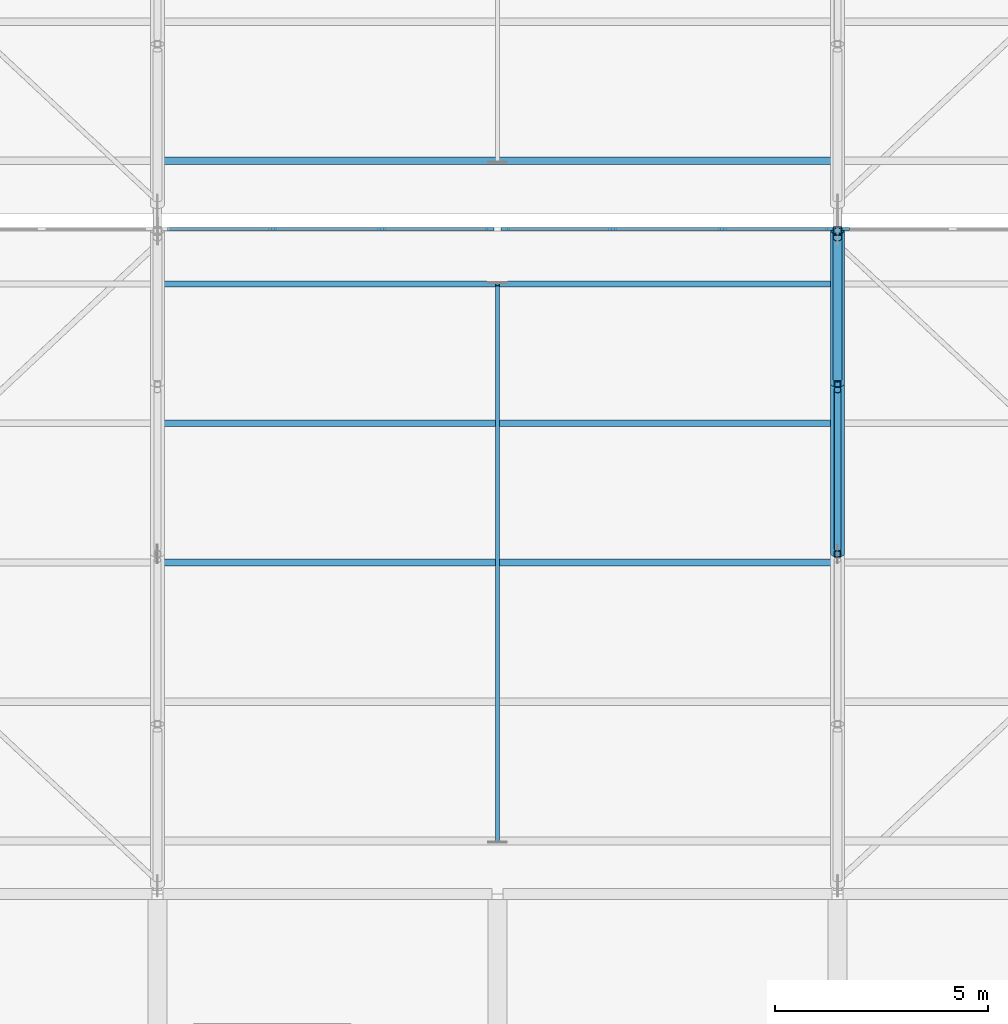
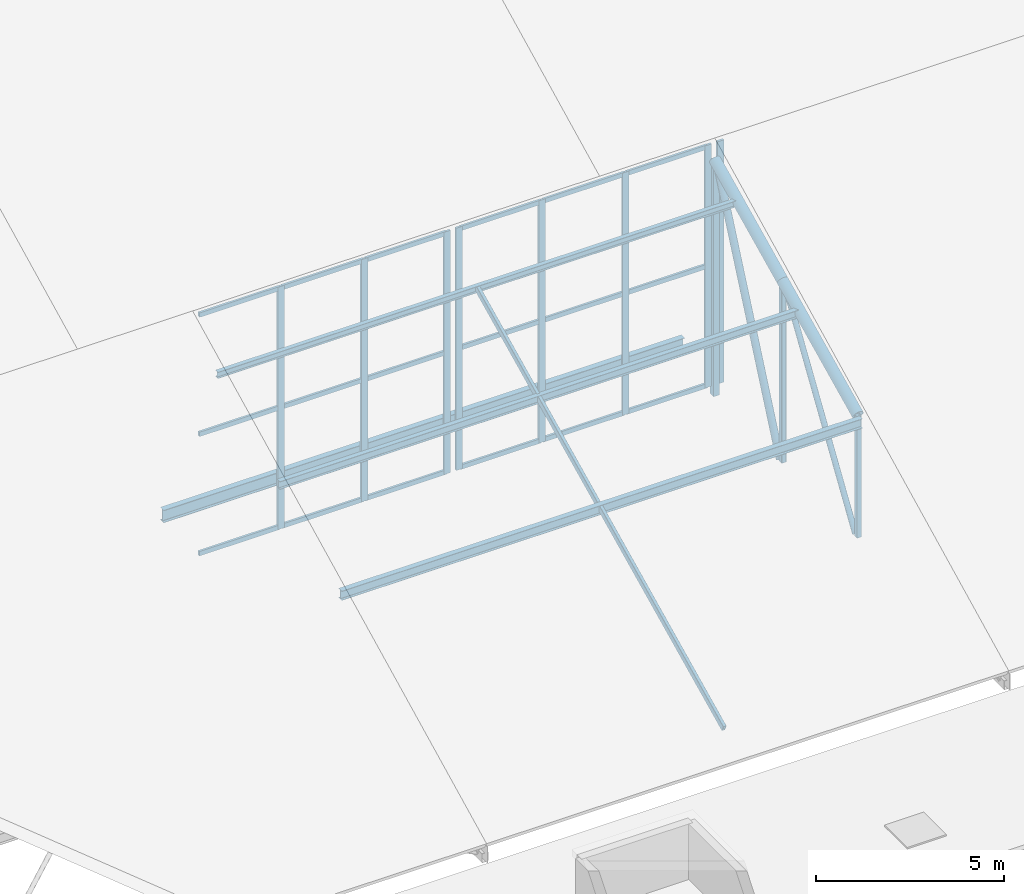
# One storey, part 45 of 137: 34 members, 4 beams, 3 elements without a shape of their own.
"""IFC4 building model written with IfcOpenShell, lengths in metres."""

from ifc_helpers import new_model, si_unit, direction, frame, origin, origin_2d, place, context, subcontext, project, spatial, rectangle, hollow_rectangle, hollow_circle, i_section, extrude, material, layer, layer_set, material_profile, profile_set, type_object, element, aggregate, save


model = new_model("IFC4")

# Units and contexts
model_context = context("Model", 3, precision=1e-05, world=origin(), true_north=direction((0.0, 1.0)))
body_context = subcontext(model_context, "Body", "Model", "MODEL_VIEW")
ifc_project = project(units=[si_unit("LENGTHUNIT", "METRE"), si_unit("AREAUNIT", "SQUARE_METRE"), si_unit("VOLUMEUNIT", "CUBIC_METRE"), si_unit("PLANEANGLEUNIT", "RADIAN"), si_unit("MASSUNIT", "GRAM", prefix="KILO")], contexts=[model_context])

# Site, building, storey
site_placement = place(None, origin())
site = spatial("IfcSite", under=ifc_project, at=site_placement, CompositionType="ELEMENT")
building_placement = place(site_placement, origin())
building = spatial("IfcBuilding", under=site, at=building_placement, Name="Jelvoka-Kovrelna Polytechnic", CompositionType="ELEMENT")
storey_placement = place(building_placement, frame((0.0, 0.0, 9.60009765625)))
storey = spatial("IfcBuildingStorey", under=building, at=storey_placement, Name="L03", CompositionType="ELEMENT", Elevation=9.60009765625)

# Members
ifc_material_1 = material(Name="Structural steel S355J2H", Category="steel")
ifc_material_profile_1 = material_profile(ifc_material_1, hollow_circle(Radius=0.084228515625, WallThickness=0.008056640625, at=origin_2d()), Name="168.3x8.0 CHS")
ifc_profile_set_1 = profile_set([ifc_material_profile_1], Name="Structural steel S355J2H")
member_type_1 = type_object("IfcMemberType", Name="Member_Brace_CHS168", PredefinedType="BRACE", material=ifc_profile_set_1)
member_1_placement = place(storey_placement, frame((120.0, 96.139892578125, 0.14990234375), z_axis=(0.0, 0.5415746521, 0.840652660855), x_axis=(-1.0, 0.0, 0.0)))
element("IfcMember", 1, at=member_1_placement, inside=storey, type_object=member_type_1, Name="Sawtooth truss 3 diagonal web 1.3", PredefinedType="BRACE", context=body_context, shape_type="SweptSolid", body=[
    extrude(hollow_circle(Radius=0.084228515625, WallThickness=0.008056640625, at=origin_2d()), origin(), (0.0, 0.0, 1.0), 6.869140625),
])
ifc_material_2 = material(Name="Structural steel S355J2H", Category="steel")
ifc_material_profile_2 = material_profile(ifc_material_2, hollow_circle(Radius=0.109619140625, WallThickness=0.008056640625, at=origin_2d()), Name="219.1x8.0 CHS")
ifc_profile_set_2 = profile_set([ifc_material_profile_2], Name="Structural steel S355J2H")
member_type_2 = type_object("IfcMemberType", Name="Member_Brace_CHS219", PredefinedType="BRACE", material=ifc_profile_set_2)
member_2_placement = place(storey_placement, frame((120.0, 100.139892578125, 0.14990234375), z_axis=(0.0, 0.404336237521, 0.914610412705), x_axis=(-1.0, 0.0, 0.0)))
element("IfcMember", 2, at=member_2_placement, inside=storey, type_object=member_type_2, Name="Sawtooth truss 3 diagonal web 1.4", PredefinedType="BRACE", context=body_context, shape_type="SweptSolid", body=[
    extrude(hollow_circle(Radius=0.109619140625, WallThickness=0.008056640625, at=origin_2d()), origin(), (0.0, 0.0, 1.0), 8.211181640625),
])
ifc_material_3 = material(Name="Structural steel S355J2H", Category="steel")
ifc_material_profile_3 = material_profile(ifc_material_3, hollow_circle(Radius=0.161865234375, WallThickness=0.010009765625, at=origin_2d()), Name="323.9x10.0 CHS")
ifc_profile_set_3 = profile_set([ifc_material_profile_3], Name="Structural steel S355J2H")
member_type_3 = type_object("IfcMemberType", Name="Member_Chord_CHS324", PredefinedType="CHORD", material=ifc_profile_set_3)
member_3_placement = place(storey_placement, frame((120.0, 96.0, 4.076416015625), z_axis=(0.0, 0.900820911068, 0.434190840741), x_axis=(-1.0, 0.0, 0.0)))
element("IfcMember", 3, at=member_3_placement, inside=storey, type_object=member_type_3, Name="Sawtooth truss 3 top chord 1.3", PredefinedType="CHORD", context=body_context, shape_type="SweptSolid", body=[
    extrude(hollow_circle(Radius=0.161865234375, WallThickness=0.010009765625, at=origin_2d()), origin(), (0.0, 0.0, 1.0), 4.4404296875),
])
member_4_placement = place(storey_placement, frame((120.0, 100.0, 6.00439453125), z_axis=(0.0, 0.900784896778, 0.434265552095), x_axis=(-1.0, 0.0, 0.0)))
element("IfcMember", 4, at=member_4_placement, inside=storey, type_object=member_type_3, Name="Sawtooth truss 3 top chord 1.4", PredefinedType="CHORD", context=body_context, shape_type="SweptSolid", body=[
    extrude(hollow_circle(Radius=0.161865234375, WallThickness=0.010009765625, at=origin_2d()), origin(), (0.0, 0.0, 1.0), 3.99658203125),
])
ifc_material_4 = material(Name="Structural steel S355J2H", Category="steel")
ifc_material_profile_4 = material_profile(ifc_material_4, hollow_rectangle(XDim=0.14990234375, YDim=0.14990234375, WallThickness=0.008056640625, InnerFilletRadius=0.008056640625, OuterFilletRadius=0.011962890625, at=origin_2d()), Name="150x150x8.0 SHS")
ifc_profile_set_4 = profile_set([ifc_material_profile_4], Name="Structural steel S355J2H")
member_type_4 = type_object("IfcMemberType", Name="Member_Post_SHS150", PredefinedType="POST", material=ifc_profile_set_4)
member_5_placement = place(storey_placement, frame((120.0, 96.0, 0.14990234375), z_axis=(0.0, 0.0, 1.0), x_axis=(1.0, 0.0, 0.0)))
element("IfcMember", 5, at=member_5_placement, inside=storey, type_object=member_type_4, Name="Sawtooth truss 3 web post 1.3", PredefinedType="POST", context=body_context, shape_type="SweptSolid", body=[
    extrude(hollow_rectangle(XDim=0.14990234375, YDim=0.14990234375, WallThickness=0.008056640625, InnerFilletRadius=0.008056640625, OuterFilletRadius=0.011962890625, at=origin_2d()), origin(), (0.0, 0.0, 1.0), 3.926513671875),
])
member_6_placement = place(storey_placement, frame((120.0, 100.0, 0.14990234375), z_axis=(0.0, 0.0, 1.0), x_axis=(1.0, 0.0, 0.0)))
element("IfcMember", 6, at=member_6_placement, inside=storey, type_object=member_type_4, Name="Sawtooth truss 3 web post 1.4", PredefinedType="POST", context=body_context, shape_type="SweptSolid", body=[
    extrude(hollow_rectangle(XDim=0.14990234375, YDim=0.14990234375, WallThickness=0.008056640625, InnerFilletRadius=0.008056640625, OuterFilletRadius=0.011962890625, at=origin_2d()), origin(), (0.0, 0.0, 1.0), 5.8544921875),
])
ifc_material_5 = material(Name="Structural steel S355J2H", Category="steel")
ifc_material_profile_5 = material_profile(ifc_material_5, hollow_rectangle(XDim=0.199951171875, YDim=0.199951171875, WallThickness=0.010009765625, InnerFilletRadius=0.010009765625, OuterFilletRadius=0.014892578125, at=origin_2d()), Name="200x200x10.0 SHS")
ifc_profile_set_5 = profile_set([ifc_material_profile_5], Name="Structural steel S355J2H")
member_type_5 = type_object("IfcMemberType", Name="Member_Post_SHS200", PredefinedType="POST", material=ifc_profile_set_5)
member_7_placement = place(storey_placement, frame((120.0, 103.60009765625, 0.14990234375), z_axis=(0.0, 0.0, 1.0), x_axis=(1.0, 0.0, 0.0)))
element("IfcMember", 7, at=member_7_placement, inside=storey, type_object=member_type_5, Name="Sawtooth truss 3 web post 1.5", PredefinedType="POST", context=body_context, shape_type="SweptSolid", body=[
    extrude(hollow_rectangle(XDim=0.199951171875, YDim=0.199951171875, WallThickness=0.010009765625, InnerFilletRadius=0.010009765625, OuterFilletRadius=0.014892578125, at=origin_2d()), origin(), (0.0, 0.0, 1.0), 7.590087890625),
])
ifc_material_6 = material(Name="Structural steel S355J2H", Category="steel")
ifc_material_profile_6 = material_profile(ifc_material_6, hollow_rectangle(XDim=0.10009765625, YDim=0.199951171875, WallThickness=0.008056640625, InnerFilletRadius=0.008056640625, OuterFilletRadius=0.011962890625, at=origin_2d()), Name="200x100x8.0 RHS")
ifc_profile_set_6 = profile_set([ifc_material_profile_6], Name="Structural steel S355J2H")
member_type_6 = type_object("IfcMemberType", Name="Member_Rafter_RHS200", PredefinedType="RAFTER", material=ifc_profile_set_6)
member_8_placement = place(storey_placement, frame((112.0, 89.248046875, 0.821533203125), z_axis=(0.0, 0.900805023058, 0.434223802243), x_axis=(-1.0, 0.0, 0.0)))
element("IfcMember", 8, at=member_8_placement, inside=storey, type_object=member_type_6, Name="Sawtooth mid-bay secondary rafter 2.1", PredefinedType="RAFTER", context=body_context, shape_type="SweptSolid", body=[
    extrude(hollow_rectangle(XDim=0.10009765625, YDim=0.199951171875, WallThickness=0.008056640625, InnerFilletRadius=0.008056640625, OuterFilletRadius=0.011962890625, at=origin_2d()), origin(), (0.0, 0.0, 1.0), 14.546875),
])

# Curtain wall, members
ifc_material_7 = material(Name="Anodised aluminium 6063-T6", Category="aluminium")
ifc_layer = layer(ifc_material_7, 0.199951171875)
ifc_layer_set = layer_set([ifc_layer], Name="Anodised aluminium 6063-T6")
curtain_wall_type = type_object("IfcCurtainWallType", Name="CW_Clerestory", PredefinedType="NOTDEFINED", material=ifc_layer_set)
curtain_wall_1_placement = place(storey_placement, origin())
curtain_wall_1 = element("IfcCurtainWall", 9, at=curtain_wall_1_placement, inside=storey, type_object=curtain_wall_type, Name="L03 glazed curtain wall 187", PredefinedType="NOTDEFINED")
ifc_material_8 = material(Name="Anodised aluminium 6063-T6", Category="aluminium")
ifc_material_profile_7 = material_profile(ifc_material_8, rectangle(XDim=0.070068359375, YDim=0.199951171875, at=origin_2d()), Name="ALU 70x200")
ifc_profile_set_7 = profile_set([ifc_material_profile_7], Name="Anodised aluminium 6063-T6")
member_type_7 = type_object("IfcMemberType", Name="Mullion_M-03", PredefinedType="MULLION", material=ifc_profile_set_7)
member_9_placement = place(storey_placement, frame((106.716552734375, 103.64990234375, 0.425048828125), z_axis=(0.0, 0.0, 1.0), x_axis=(0.0, 1.0, 0.0)))
member_9 = element("IfcMember", 10, at=member_9_placement, type_object=member_type_7, Name="CW-03 mullion 2", PredefinedType="MULLION", context=body_context, shape_type="SweptSolid", body=[
    extrude(rectangle(XDim=0.070068359375, YDim=0.199951171875, at=origin_2d()), origin(), (0.0, 0.0, 1.0), 7.85009765625),
])
member_10_placement = place(storey_placement, frame((109.283447265625, 103.64990234375, 0.425048828125), z_axis=(0.0, 0.0, 1.0), x_axis=(0.0, 1.0, 0.0)))
member_10 = element("IfcMember", 11, at=member_10_placement, type_object=member_type_7, Name="CW-03 mullion 3", PredefinedType="MULLION", context=body_context, shape_type="SweptSolid", body=[
    extrude(rectangle(XDim=0.070068359375, YDim=0.199951171875, at=origin_2d()), origin(), (0.0, 0.0, 1.0), 7.85009765625),
])
member_11_placement = place(storey_placement, frame((111.81494140625, 103.64990234375, 0.425048828125), z_axis=(0.0, 0.0, 1.0), x_axis=(0.0, 1.0, 0.0)))
member_11 = element("IfcMember", 12, at=member_11_placement, type_object=member_type_7, Name="CW-03 mullion 4", PredefinedType="MULLION", context=body_context, shape_type="SweptSolid", body=[
    extrude(rectangle(XDim=0.070068359375, YDim=0.199951171875, at=origin_2d()), origin(), (0.0, 0.0, 1.0), 7.85009765625),
])

curtain_wall_2_placement = place(storey_placement, origin())
curtain_wall_2 = element("IfcCurtainWall", 13, at=curtain_wall_2_placement, inside=storey, type_object=curtain_wall_type, Name="L03 glazed curtain wall 189", PredefinedType="NOTDEFINED")
member_12_placement = place(storey_placement, frame((112.18505859375, 103.64990234375, 0.425048828125), z_axis=(0.0, 0.0, 1.0), x_axis=(0.0, 1.0, 0.0)))
member_12 = element("IfcMember", 14, at=member_12_placement, type_object=member_type_7, Name="CW-03 mullion 1", PredefinedType="MULLION", context=body_context, shape_type="SweptSolid", body=[
    extrude(rectangle(XDim=0.070068359375, YDim=0.199951171875, at=origin_2d()), origin(), (0.0, 0.0, 1.0), 7.85009765625),
])
member_13_placement = place(storey_placement, frame((114.716552734375, 103.64990234375, 0.425048828125), z_axis=(0.0, 0.0, 1.0), x_axis=(0.0, 1.0, 0.0)))
member_13 = element("IfcMember", 15, at=member_13_placement, type_object=member_type_7, Name="CW-03 mullion 2", PredefinedType="MULLION", context=body_context, shape_type="SweptSolid", body=[
    extrude(rectangle(XDim=0.070068359375, YDim=0.199951171875, at=origin_2d()), origin(), (0.0, 0.0, 1.0), 7.85009765625),
])
member_14_placement = place(storey_placement, frame((117.283447265625, 103.64990234375, 0.425048828125), z_axis=(0.0, 0.0, 1.0), x_axis=(0.0, 1.0, 0.0)))
member_14 = element("IfcMember", 16, at=member_14_placement, type_object=member_type_7, Name="CW-03 mullion 3", PredefinedType="MULLION", context=body_context, shape_type="SweptSolid", body=[
    extrude(rectangle(XDim=0.070068359375, YDim=0.199951171875, at=origin_2d()), origin(), (0.0, 0.0, 1.0), 7.85009765625),
])
member_15_placement = place(storey_placement, frame((119.81494140625, 103.64990234375, 0.425048828125), z_axis=(0.0, 0.0, 1.0), x_axis=(0.0, 1.0, 0.0)))
member_15 = element("IfcMember", 17, at=member_15_placement, type_object=member_type_7, Name="CW-03 mullion 4", PredefinedType="MULLION", context=body_context, shape_type="SweptSolid", body=[
    extrude(rectangle(XDim=0.070068359375, YDim=0.199951171875, at=origin_2d()), origin(), (0.0, 0.0, 1.0), 7.85009765625),
])

# Curtain wall, member
curtain_wall_3_placement = place(storey_placement, origin())
curtain_wall_3 = element("IfcCurtainWall", 18, at=curtain_wall_3_placement, inside=storey, type_object=curtain_wall_type, Name="L03 glazed curtain wall 191", PredefinedType="NOTDEFINED")
member_16_placement = place(storey_placement, frame((120.18505859375, 103.64990234375, 0.425048828125), z_axis=(0.0, 0.0, 1.0), x_axis=(0.0, 1.0, 0.0)))
member_16 = element("IfcMember", 19, at=member_16_placement, type_object=member_type_7, Name="CW-03 mullion 1", PredefinedType="MULLION", context=body_context, shape_type="SweptSolid", body=[
    extrude(rectangle(XDim=0.070068359375, YDim=0.199951171875, at=origin_2d()), origin(), (0.0, 0.0, 1.0), 7.85009765625),
])
aggregate(curtain_wall_3, [member_16])

# Beams
ifc_material_9 = material(Name="Structural steel S355JR", Category="steel")
ifc_material_profile_8 = material_profile(ifc_material_9, i_section(OverallWidth=0.13330078125, OverallDepth=0.203125, WebThickness=0.005615234375, FlangeThickness=0.0078125, FilletRadius=0.007568359375, at=origin_2d()), Name="203x133x25 UB")
ifc_profile_set_8 = profile_set([ifc_material_profile_8], Name="Structural steel S355JR")
beam_type_1 = type_object("IfcBeamType", Name="Purlin_Steel_UB203", PredefinedType="JOIST", material=ifc_profile_set_8)
beam_1_placement = place(storey_placement, frame((104.02001953125, 102.35205078125, 7.13818359375), z_axis=(1.0, 0.0, 0.0), x_axis=(0.0, 1.0, 0.0)))
element("IfcBeam", 20, at=beam_1_placement, inside=storey, type_object=beam_type_1, Name="Sawtooth roof purlin 015", PredefinedType="JOIST", context=body_context, shape_type="SweptSolid", body=[
    extrude(i_section(OverallWidth=0.13330078125, OverallDepth=0.203125, WebThickness=0.005615234375, FlangeThickness=0.0078125, FilletRadius=0.007568359375, at=origin_2d()), origin(), (0.0, 0.0, 1.0), 15.9599609375),
])
ifc_material_10 = material(Name="Structural steel S355JR", Category="steel")
ifc_material_profile_9 = material_profile(ifc_material_10, i_section(OverallWidth=0.14599609375, OverallDepth=0.25146484375, WebThickness=0.006103515625, FlangeThickness=0.008544921875, FilletRadius=0.007568359375, at=origin_2d()), Name="254x146x31 UB")
ifc_profile_set_9 = profile_set([ifc_material_profile_9], Name="Structural steel S355JR")
beam_type_2 = type_object("IfcBeamType", Name="Purlin_Steel_UB254", PredefinedType="JOIST", material=ifc_profile_set_9)
beam_2_placement = place(storey_placement, frame((104.02001953125, 99.075927734375, 5.55908203125), z_axis=(1.0, 0.0, 0.0), x_axis=(0.0, 1.0, 0.0)))
element("IfcBeam", 21, at=beam_2_placement, inside=storey, type_object=beam_type_2, Name="Sawtooth roof purlin 014", PredefinedType="JOIST", context=body_context, shape_type="SweptSolid", body=[
    extrude(i_section(OverallWidth=0.14599609375, OverallDepth=0.25146484375, WebThickness=0.006103515625, FlangeThickness=0.008544921875, FilletRadius=0.007568359375, at=origin_2d()), origin(), (0.0, 0.0, 1.0), 15.9599609375),
])
ifc_material_11 = material(Name="Structural steel S355JR", Category="steel")
ifc_material_profile_10 = material_profile(ifc_material_11, i_section(OverallWidth=0.1650390625, OverallDepth=0.303466796875, WebThickness=0.006103515625, FlangeThickness=0.01025390625, FilletRadius=0.0087890625, at=origin_2d()), Name="305x165x40 UB")
ifc_profile_set_10 = profile_set([ifc_material_profile_10], Name="Structural steel S355JR")
beam_type_3 = type_object("IfcBeamType", Name="Purlin_Steel_UB305", PredefinedType="JOIST", material=ifc_profile_set_10)
beam_3_placement = place(storey_placement, frame((104.02001953125, 95.800048828125, 3.97998046875), z_axis=(1.0, 0.0, 0.0), x_axis=(0.0, 1.0, 0.0)))
element("IfcBeam", 22, at=beam_3_placement, inside=storey, type_object=beam_type_3, Name="Sawtooth roof purlin 013", PredefinedType="JOIST", context=body_context, shape_type="SweptSolid", body=[
    extrude(i_section(OverallWidth=0.1650390625, OverallDepth=0.303466796875, WebThickness=0.006103515625, FlangeThickness=0.01025390625, FilletRadius=0.0087890625, at=origin_2d()), origin(), (0.0, 0.0, 1.0), 15.9599609375),
])
ifc_material_12 = material(Name="Structural steel S355JR", Category="steel")
ifc_material_profile_11 = material_profile(ifc_material_12, i_section(OverallWidth=0.177978515625, OverallDepth=0.406494140625, WebThickness=0.0078125, FlangeThickness=0.0126953125, FilletRadius=0.01025390625, at=origin_2d()), Name="406x178x60 UB")
ifc_profile_set_11 = profile_set([ifc_material_profile_11], Name="Structural steel S355JR")
beam_type_4 = type_object("IfcBeamType", Name="Purlin_Steel_UB406", PredefinedType="JOIST", material=ifc_profile_set_11)
beam_4_placement = place(storey_placement, frame((104.02001953125, 105.248046875, 0.821533203125), z_axis=(1.0, 0.0, 0.0), x_axis=(0.0, 1.0, 0.0)))
element("IfcBeam", 23, at=beam_4_placement, inside=storey, type_object=beam_type_4, Name="Sawtooth roof purlin 016", PredefinedType="JOIST", context=body_context, shape_type="SweptSolid", body=[
    extrude(i_section(OverallWidth=0.177978515625, OverallDepth=0.406494140625, WebThickness=0.0078125, FlangeThickness=0.0126953125, FilletRadius=0.01025390625, at=origin_2d()), origin(), (0.0, 0.0, 1.0), 15.9599609375),
])

# Member
ifc_material_13 = material(Name="Anodised aluminium 6063-T6", Category="aluminium")
ifc_material_profile_12 = material_profile(ifc_material_13, rectangle(XDim=0.070068359375, YDim=0.14501953125, at=origin_2d()), Name="ALU 70x145")
ifc_profile_set_12 = profile_set([ifc_material_profile_12], Name="Anodised aluminium 6063-T6")
member_type_8 = type_object("IfcMemberType", Name="Transom_T-03", PredefinedType="USERDEFINED", material=ifc_profile_set_12)
member_17_placement = place(storey_placement, frame((104.219970703125, 103.64990234375, 0.48486328125), z_axis=(1.0, 0.0, 0.0), x_axis=(0.0, 1.0, 0.0)))
member_17 = element("IfcMember", 24, at=member_17_placement, type_object=member_type_8, Name="CW-03 transom 1.1", ObjectType="TRANSOM", PredefinedType="USERDEFINED", context=body_context, shape_type="SweptSolid", body=[
    extrude(rectangle(XDim=0.070068359375, YDim=0.14501953125, at=origin_2d()), origin(), (0.0, 0.0, 1.0), 2.461669921875),
])

member_18_placement = place(storey_placement, frame((104.219970703125, 103.64990234375, 4.349853515625), z_axis=(1.0, 0.0, 0.0), x_axis=(0.0, 1.0, 0.0)))
member_18 = element("IfcMember", 25, at=member_18_placement, type_object=member_type_8, Name="CW-03 transom 1.2", ObjectType="TRANSOM", PredefinedType="USERDEFINED", context=body_context, shape_type="SweptSolid", body=[
    extrude(rectangle(XDim=0.070068359375, YDim=0.14501953125, at=origin_2d()), origin(), (0.0, 0.0, 1.0), 2.461669921875),
])

member_19_placement = place(storey_placement, frame((104.219970703125, 103.64990234375, 8.21484375), z_axis=(1.0, 0.0, 0.0), x_axis=(0.0, 1.0, 0.0)))
member_19 = element("IfcMember", 26, at=member_19_placement, type_object=member_type_8, Name="CW-03 transom 1.3", ObjectType="TRANSOM", PredefinedType="USERDEFINED", context=body_context, shape_type="SweptSolid", body=[
    extrude(rectangle(XDim=0.070068359375, YDim=0.14501953125, at=origin_2d()), origin(), (0.0, 0.0, 1.0), 2.461669921875),
])

member_20_placement = place(storey_placement, frame((106.751708984375, 103.64990234375, 0.48486328125), z_axis=(1.0, 0.0, 0.0), x_axis=(0.0, 1.0, 0.0)))
member_20 = element("IfcMember", 27, at=member_20_placement, type_object=member_type_8, Name="CW-03 transom 2.1", ObjectType="TRANSOM", PredefinedType="USERDEFINED", context=body_context, shape_type="SweptSolid", body=[
    extrude(rectangle(XDim=0.070068359375, YDim=0.14501953125, at=origin_2d()), origin(), (0.0, 0.0, 1.0), 2.49658203125),
])

member_21_placement = place(storey_placement, frame((106.751708984375, 103.64990234375, 4.349853515625), z_axis=(1.0, 0.0, 0.0), x_axis=(0.0, 1.0, 0.0)))
member_21 = element("IfcMember", 28, at=member_21_placement, type_object=member_type_8, Name="CW-03 transom 2.2", ObjectType="TRANSOM", PredefinedType="USERDEFINED", context=body_context, shape_type="SweptSolid", body=[
    extrude(rectangle(XDim=0.070068359375, YDim=0.14501953125, at=origin_2d()), origin(), (0.0, 0.0, 1.0), 2.49658203125),
])

member_22_placement = place(storey_placement, frame((106.751708984375, 103.64990234375, 8.21484375), z_axis=(1.0, 0.0, 0.0), x_axis=(0.0, 1.0, 0.0)))
member_22 = element("IfcMember", 29, at=member_22_placement, type_object=member_type_8, Name="CW-03 transom 2.3", ObjectType="TRANSOM", PredefinedType="USERDEFINED", context=body_context, shape_type="SweptSolid", body=[
    extrude(rectangle(XDim=0.070068359375, YDim=0.14501953125, at=origin_2d()), origin(), (0.0, 0.0, 1.0), 2.49658203125),
])

member_23_placement = place(storey_placement, frame((109.318359375, 103.64990234375, 0.48486328125), z_axis=(1.0, 0.0, 0.0), x_axis=(0.0, 1.0, 0.0)))
member_23 = element("IfcMember", 30, at=member_23_placement, type_object=member_type_8, Name="CW-03 transom 3.1", ObjectType="TRANSOM", PredefinedType="USERDEFINED", context=body_context, shape_type="SweptSolid", body=[
    extrude(rectangle(XDim=0.070068359375, YDim=0.14501953125, at=origin_2d()), origin(), (0.0, 0.0, 1.0), 2.461669921875),
])

member_24_placement = place(storey_placement, frame((109.318359375, 103.64990234375, 4.349853515625), z_axis=(1.0, 0.0, 0.0), x_axis=(0.0, 1.0, 0.0)))
member_24 = element("IfcMember", 31, at=member_24_placement, type_object=member_type_8, Name="CW-03 transom 3.2", ObjectType="TRANSOM", PredefinedType="USERDEFINED", context=body_context, shape_type="SweptSolid", body=[
    extrude(rectangle(XDim=0.070068359375, YDim=0.14501953125, at=origin_2d()), origin(), (0.0, 0.0, 1.0), 2.461669921875),
])

member_25_placement = place(storey_placement, frame((109.318359375, 103.64990234375, 8.21484375), z_axis=(1.0, 0.0, 0.0), x_axis=(0.0, 1.0, 0.0)))
member_25 = element("IfcMember", 32, at=member_25_placement, type_object=member_type_8, Name="CW-03 transom 3.3", ObjectType="TRANSOM", PredefinedType="USERDEFINED", context=body_context, shape_type="SweptSolid", body=[
    extrude(rectangle(XDim=0.070068359375, YDim=0.14501953125, at=origin_2d()), origin(), (0.0, 0.0, 1.0), 2.461669921875),
])

aggregate(curtain_wall_1, [member_9, member_10, member_11, member_17, member_18, member_19, member_20, member_21, member_22, member_23, member_24, member_25])

member_26_placement = place(storey_placement, frame((112.219970703125, 103.64990234375, 0.48486328125), z_axis=(1.0, 0.0, 0.0), x_axis=(0.0, 1.0, 0.0)))
member_26 = element("IfcMember", 33, at=member_26_placement, type_object=member_type_8, Name="CW-03 transom 1.1", ObjectType="TRANSOM", PredefinedType="USERDEFINED", context=body_context, shape_type="SweptSolid", body=[
    extrude(rectangle(XDim=0.070068359375, YDim=0.14501953125, at=origin_2d()), origin(), (0.0, 0.0, 1.0), 2.461669921875),
])

member_27_placement = place(storey_placement, frame((112.219970703125, 103.64990234375, 4.349853515625), z_axis=(1.0, 0.0, 0.0), x_axis=(0.0, 1.0, 0.0)))
member_27 = element("IfcMember", 34, at=member_27_placement, type_object=member_type_8, Name="CW-03 transom 1.2", ObjectType="TRANSOM", PredefinedType="USERDEFINED", context=body_context, shape_type="SweptSolid", body=[
    extrude(rectangle(XDim=0.070068359375, YDim=0.14501953125, at=origin_2d()), origin(), (0.0, 0.0, 1.0), 2.461669921875),
])

member_28_placement = place(storey_placement, frame((112.219970703125, 103.64990234375, 8.21484375), z_axis=(1.0, 0.0, 0.0), x_axis=(0.0, 1.0, 0.0)))
member_28 = element("IfcMember", 35, at=member_28_placement, type_object=member_type_8, Name="CW-03 transom 1.3", ObjectType="TRANSOM", PredefinedType="USERDEFINED", context=body_context, shape_type="SweptSolid", body=[
    extrude(rectangle(XDim=0.070068359375, YDim=0.14501953125, at=origin_2d()), origin(), (0.0, 0.0, 1.0), 2.461669921875),
])

member_29_placement = place(storey_placement, frame((114.751708984375, 103.64990234375, 0.48486328125), z_axis=(1.0, 0.0, 0.0), x_axis=(0.0, 1.0, 0.0)))
member_29 = element("IfcMember", 36, at=member_29_placement, type_object=member_type_8, Name="CW-03 transom 2.1", ObjectType="TRANSOM", PredefinedType="USERDEFINED", context=body_context, shape_type="SweptSolid", body=[
    extrude(rectangle(XDim=0.070068359375, YDim=0.14501953125, at=origin_2d()), origin(), (0.0, 0.0, 1.0), 2.49658203125),
])

member_30_placement = place(storey_placement, frame((114.751708984375, 103.64990234375, 4.349853515625), z_axis=(1.0, 0.0, 0.0), x_axis=(0.0, 1.0, 0.0)))
member_30 = element("IfcMember", 37, at=member_30_placement, type_object=member_type_8, Name="CW-03 transom 2.2", ObjectType="TRANSOM", PredefinedType="USERDEFINED", context=body_context, shape_type="SweptSolid", body=[
    extrude(rectangle(XDim=0.070068359375, YDim=0.14501953125, at=origin_2d()), origin(), (0.0, 0.0, 1.0), 2.49658203125),
])

member_31_placement = place(storey_placement, frame((114.751708984375, 103.64990234375, 8.21484375), z_axis=(1.0, 0.0, 0.0), x_axis=(0.0, 1.0, 0.0)))
member_31 = element("IfcMember", 38, at=member_31_placement, type_object=member_type_8, Name="CW-03 transom 2.3", ObjectType="TRANSOM", PredefinedType="USERDEFINED", context=body_context, shape_type="SweptSolid", body=[
    extrude(rectangle(XDim=0.070068359375, YDim=0.14501953125, at=origin_2d()), origin(), (0.0, 0.0, 1.0), 2.49658203125),
])

member_32_placement = place(storey_placement, frame((117.318359375, 103.64990234375, 0.48486328125), z_axis=(1.0, 0.0, 0.0), x_axis=(0.0, 1.0, 0.0)))
member_32 = element("IfcMember", 39, at=member_32_placement, type_object=member_type_8, Name="CW-03 transom 3.1", ObjectType="TRANSOM", PredefinedType="USERDEFINED", context=body_context, shape_type="SweptSolid", body=[
    extrude(rectangle(XDim=0.070068359375, YDim=0.14501953125, at=origin_2d()), origin(), (0.0, 0.0, 1.0), 2.461669921875),
])

member_33_placement = place(storey_placement, frame((117.318359375, 103.64990234375, 4.349853515625), z_axis=(1.0, 0.0, 0.0), x_axis=(0.0, 1.0, 0.0)))
member_33 = element("IfcMember", 40, at=member_33_placement, type_object=member_type_8, Name="CW-03 transom 3.2", ObjectType="TRANSOM", PredefinedType="USERDEFINED", context=body_context, shape_type="SweptSolid", body=[
    extrude(rectangle(XDim=0.070068359375, YDim=0.14501953125, at=origin_2d()), origin(), (0.0, 0.0, 1.0), 2.461669921875),
])

member_34_placement = place(storey_placement, frame((117.318359375, 103.64990234375, 8.21484375), z_axis=(1.0, 0.0, 0.0), x_axis=(0.0, 1.0, 0.0)))
member_34 = element("IfcMember", 41, at=member_34_placement, type_object=member_type_8, Name="CW-03 transom 3.3", ObjectType="TRANSOM", PredefinedType="USERDEFINED", context=body_context, shape_type="SweptSolid", body=[
    extrude(rectangle(XDim=0.070068359375, YDim=0.14501953125, at=origin_2d()), origin(), (0.0, 0.0, 1.0), 2.461669921875),
])

aggregate(curtain_wall_2, [member_12, member_13, member_14, member_15, member_26, member_27, member_28, member_29, member_30, member_31, member_32, member_33, member_34])

save(model, "model.ifc")
